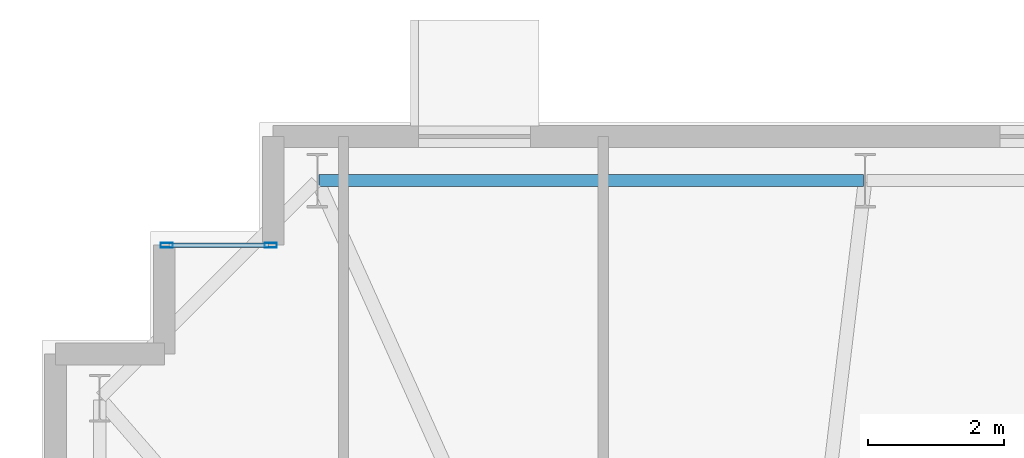
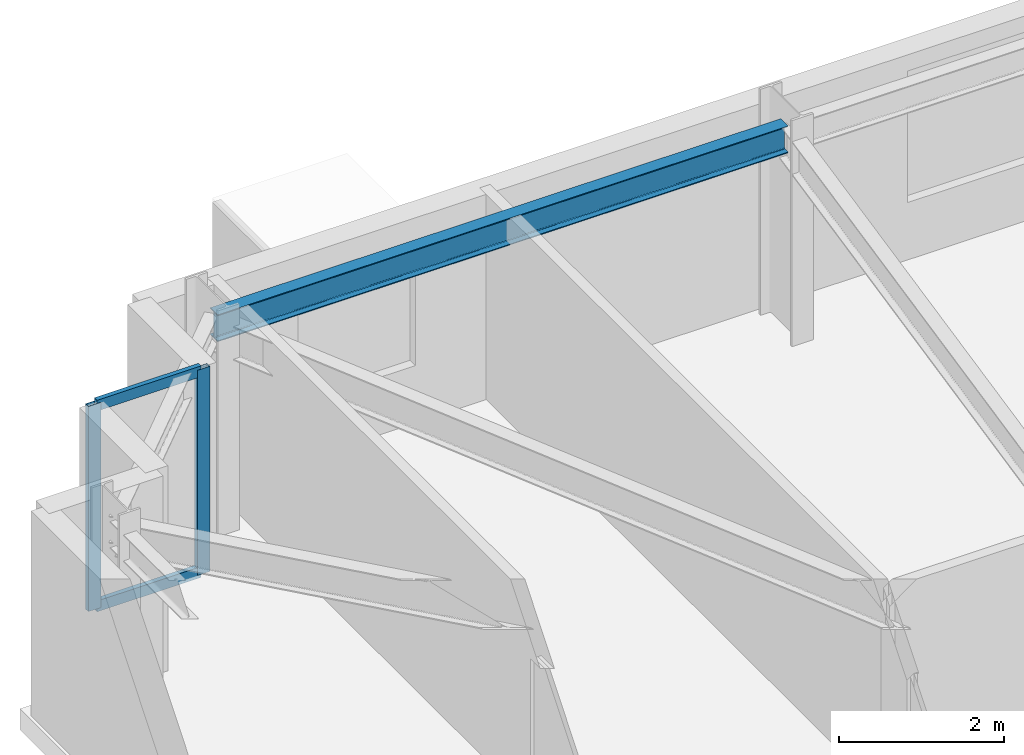
# One storey, part 7 of 18: 4 members, 1 beam, 1 element without a shape of its own.
"""IFC4 building model written with IfcOpenShell, lengths in metres."""

from ifc_helpers import new_model, si_unit, direction, frame, origin, origin_2d, place, context, subcontext, project, spatial, hollow_rectangle, i_section, extrude, material, layer, layer_set, material_profile, profile_set, type_object, element, aggregate, save


model = new_model("IFC4")

# Units and contexts
model_context = context("Model", 3, precision=1e-05, world=origin(), true_north=direction((0.0, 1.0)))
body_context = subcontext(model_context, "Body", "Model", "MODEL_VIEW")
ifc_project = project(units=[si_unit("LENGTHUNIT", "METRE"), si_unit("AREAUNIT", "SQUARE_METRE"), si_unit("VOLUMEUNIT", "CUBIC_METRE"), si_unit("PLANEANGLEUNIT", "RADIAN"), si_unit("MASSUNIT", "GRAM", prefix="KILO")], contexts=[model_context])

# Site, building, storey
site_placement = place(None, origin())
site = spatial("IfcSite", under=ifc_project, at=site_placement, CompositionType="ELEMENT")
building_placement = place(site_placement, origin())
building = spatial("IfcBuilding", under=site, at=building_placement, Name="Qobustan Lattice House", CompositionType="ELEMENT")
storey_placement = place(building_placement, frame((0.0, 0.0, 147.75)))
storey = spatial("IfcBuildingStorey", under=building, at=storey_placement, Name="L41", CompositionType="ELEMENT", Elevation=147.75)

# Beam
ifc_material_1 = material(Name="Steel S355", Category="steel")
ifc_material_profile_1 = material_profile(ifc_material_1, i_section(OverallWidth=0.179931640625, OverallDepth=0.39990234375, WebThickness=0.008544921875, FlangeThickness=0.013427734375, FilletRadius=0.02099609375, at=origin_2d()), Name="IPE400")
ifc_profile_set_1 = profile_set([ifc_material_profile_1], Name="Steel S355")
beam_type = type_object("IfcBeamType", Name="BM-SPD-IPE400", PredefinedType="SPANDREL", material=ifc_profile_set_1)
beam_placement = place(storey_placement, frame((-17.125, 19.75, 2.840087890625), z_axis=(-1.0, 0.0, 0.0), x_axis=(0.0, -1.0, 0.0)))
element("IfcBeam", 1, at=beam_placement, inside=storey, type_object=beam_type, Name="L41 perimeter spandrel N6-N7", PredefinedType="SPANDREL", context=body_context, shape_type="SweptSolid", body=[
    extrude(i_section(OverallWidth=0.179931640625, OverallDepth=0.39990234375, WebThickness=0.008544921875, FlangeThickness=0.013427734375, FilletRadius=0.02099609375, at=origin_2d()), origin(), (0.0, 0.0, 1.0), 8.0),
])

# Curtain wall, members
ifc_material_2 = material(Name="Anodised aluminium and low-E glazing", Category="aluminium")
ifc_layer = layer(ifc_material_2, 0.219970703125)
ifc_layer_set = layer_set([ifc_layer], Name="Anodised aluminium and low-E glazing")
curtain_wall_type = type_object("IfcCurtainWallType", Name="CW-FAC-02", PredefinedType="USERDEFINED", material=ifc_layer_set)
curtain_wall_placement = place(storey_placement, origin())
curtain_wall = element("IfcCurtainWall", 2, at=curtain_wall_placement, inside=storey, type_object=curtain_wall_type, Name="L41 serrated corner faceted glazing 8", ObjectType="CURTAIN WALL", PredefinedType="USERDEFINED")
ifc_material_3 = material(Name="Anodised aluminium EN AW-6063 T6", Category="aluminium")
ifc_material_profile_2 = material_profile(ifc_material_3, hollow_rectangle(XDim=0.070068359375, YDim=0.179931640625, WallThickness=0.00439453125, at=origin_2d()), Name="CWM-180x70")
ifc_profile_set_2 = profile_set([ifc_material_profile_2], Name="Anodised aluminium EN AW-6063 T6")
member_type_1 = type_object("IfcMemberType", Name="CWM-STD-180", PredefinedType="MULLION", material=ifc_profile_set_2)
member_1_placement = place(storey_placement, frame((-27.364990234375, 18.800048828125, 0.0), z_axis=(0.0, 0.0, 1.0), x_axis=(0.0, 1.0, 0.0)))
member_1 = element("IfcMember", 3, at=member_1_placement, type_object=member_type_1, Name="CW-F2 mullion 1", PredefinedType="MULLION", context=body_context, shape_type="SweptSolid", body=[
    extrude(hollow_rectangle(XDim=0.070068359375, YDim=0.179931640625, WallThickness=0.00439453125, at=origin_2d()), origin(), (0.0, 0.0, 1.0), 3.0400390625),
])
member_2_placement = place(storey_placement, frame((-25.8349609375, 18.800048828125, 0.0), z_axis=(0.0, 0.0, 1.0), x_axis=(0.0, 1.0, 0.0)))
member_2 = element("IfcMember", 4, at=member_2_placement, type_object=member_type_1, Name="CW-F2 mullion 2", PredefinedType="MULLION", context=body_context, shape_type="SweptSolid", body=[
    extrude(hollow_rectangle(XDim=0.070068359375, YDim=0.179931640625, WallThickness=0.00439453125, at=origin_2d()), origin(), (0.0, 0.0, 1.0), 3.0400390625),
])
ifc_material_4 = material(Name="Anodised aluminium EN AW-6063 T6", Category="aluminium")
ifc_material_profile_3 = material_profile(ifc_material_4, hollow_rectangle(XDim=0.06494140625, YDim=0.159912109375, WallThickness=0.00390625, at=origin_2d()), Name="CWT-160x65")
ifc_profile_set_3 = profile_set([ifc_material_profile_3], Name="Anodised aluminium EN AW-6063 T6")
member_type_2 = type_object("IfcMemberType", Name="CWT-HOR-160", PredefinedType="USERDEFINED", material=ifc_profile_set_3)
member_3_placement = place(storey_placement, frame((-27.330078125, 18.800048828125, 0.032470703125), z_axis=(1.0, 0.0, 0.0), x_axis=(0.0, 1.0, 0.0)))
member_3 = element("IfcMember", 5, at=member_3_placement, type_object=member_type_2, Name="CW-F2 transom 1.1", ObjectType="TRANSOM", PredefinedType="USERDEFINED", context=body_context, shape_type="SweptSolid", body=[
    extrude(hollow_rectangle(XDim=0.06494140625, YDim=0.159912109375, WallThickness=0.00390625, at=origin_2d()), origin(), (0.0, 0.0, 1.0), 1.4599609375),
])
member_4_placement = place(storey_placement, frame((-27.330078125, 18.800048828125, 3.007568359375), z_axis=(1.0, 0.0, 0.0), x_axis=(0.0, 1.0, 0.0)))
member_4 = element("IfcMember", 6, at=member_4_placement, type_object=member_type_2, Name="CW-F2 transom 1.2", ObjectType="TRANSOM", PredefinedType="USERDEFINED", context=body_context, shape_type="SweptSolid", body=[
    extrude(hollow_rectangle(XDim=0.06494140625, YDim=0.159912109375, WallThickness=0.00390625, at=origin_2d()), origin(), (0.0, 0.0, 1.0), 1.4599609375),
])
aggregate(curtain_wall, [member_1, member_2, member_3, member_4])

save(model, "model.ifc")
